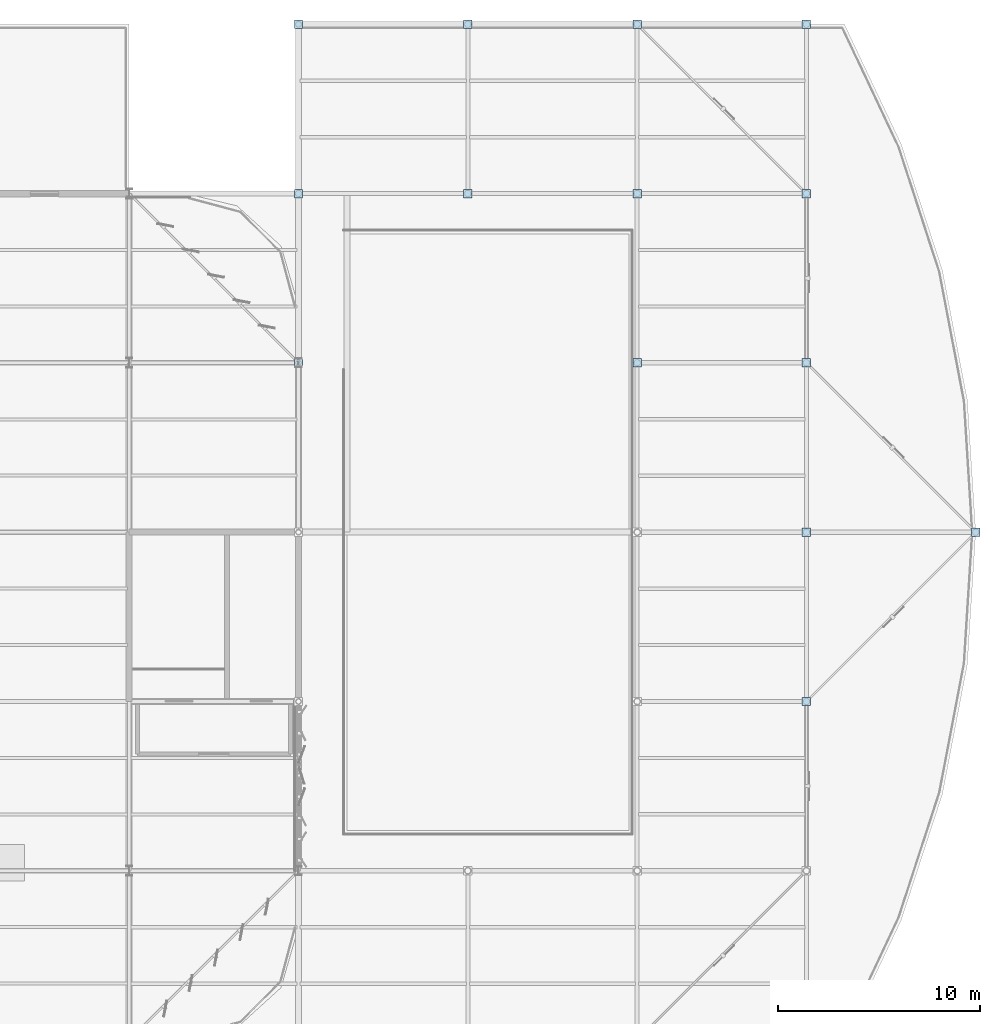
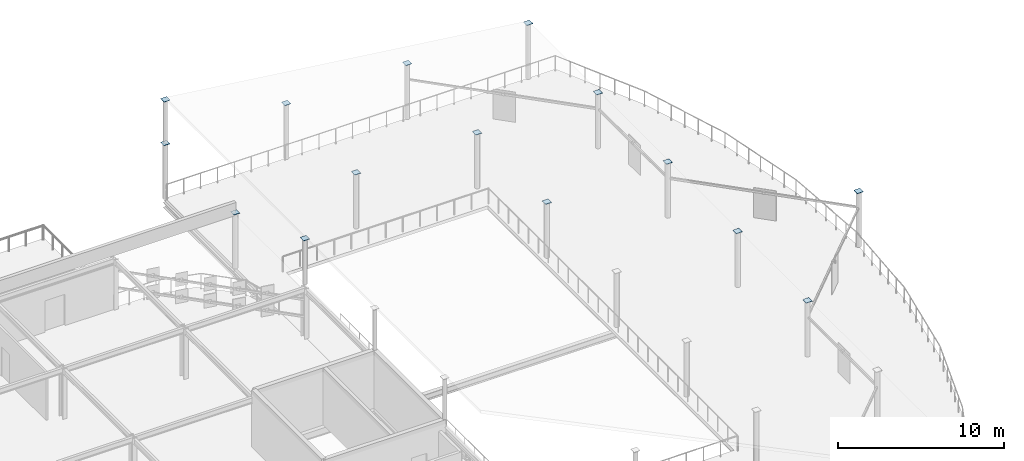
# One storey, part 47 of 65: 15 plates.
"""IFC4 building model written with IfcOpenShell, lengths in metres."""

from ifc_helpers import new_model, si_unit, direction, frame, origin, origin_2d, place, context, subcontext, project, spatial, rectangle, extrude, material, layer, layer_set, type_object, element, save


model = new_model("IFC4")

# Units and contexts
model_context = context("Model", 3, precision=1e-05, world=origin(), true_north=direction((0.0, 1.0)))
body_context = subcontext(model_context, "Body", "Model", "MODEL_VIEW")
ifc_project = project(units=[si_unit("LENGTHUNIT", "METRE"), si_unit("AREAUNIT", "SQUARE_METRE"), si_unit("VOLUMEUNIT", "CUBIC_METRE"), si_unit("PLANEANGLEUNIT", "RADIAN"), si_unit("MASSUNIT", "GRAM", prefix="KILO")], contexts=[model_context])

# Site, building, storey
site_placement = place(None, origin())
site = spatial("IfcSite", under=ifc_project, at=site_placement, CompositionType="ELEMENT")
building_placement = place(site_placement, origin())
building = spatial("IfcBuilding", under=site, at=building_placement, Name="Qalvenar Corner Mobility Hub", CompositionType="ELEMENT")
storey_placement = place(building_placement, frame((0.0, 0.0, 17.39990234375)))
storey = spatial("IfcBuildingStorey", under=building, at=storey_placement, Name="L04", CompositionType="ELEMENT", Elevation=17.39990234375)

# Plates
ifc_material = material(Name="Steel S355", Category="steel")
ifc_layer = layer(ifc_material, 0.02490234375)
ifc_layer_set = layer_set([ifc_layer], Name="Steel S355")
plate_type = type_object("IfcPlateType", Name="PLT-CAP25", PredefinedType="SHEET", material=ifc_layer_set)
for number, where, z_axis, x_axis, name in (
    (1, (142.800048828125, 109.199951171875, 4.030029296875), (0.0, 0.0, 1.0), (1.0, 0.0, 0.0), "Hollow Column Top Cap Plate L04-G18-13"),
    (2, (142.800048828125, 117.60009765625, 4.030029296875), (0.0, 0.0, 1.0), (1.0, 0.0, 0.0), "Hollow Column Top Cap Plate L04-G18-14"),
    (3, (151.199951171875, 109.199951171875, 4.030029296875), (0.0, 0.0, 1.0), (1.0, 0.0, 0.0), "Hollow Column Top Cap Plate L04-G19-13"),
    (4, (151.199951171875, 117.60009765625, 4.030029296875), (0.0, 0.0, 1.0), (1.0, 0.0, 0.0), "Hollow Column Top Cap Plate L04-G19-14"),
    (5, (159.60009765625, 100.800048828125, 4.030029296875), (0.0, 0.0, 1.0), (1.0, 0.0, 0.0), "Hollow Column Top Cap Plate L04-G20-12"),
    (6, (159.60009765625, 109.199951171875, 4.030029296875), (0.0, 0.0, 1.0), (1.0, 0.0, 0.0), "Hollow Column Top Cap Plate L04-G20-13"),
    (7, (159.60009765625, 117.60009765625, 4.030029296875), (0.0, 0.0, 1.0), (1.0, 0.0, 0.0), "Hollow Column Top Cap Plate L04-G20-14"),
    (8, (168.0, 84.0, 4.030029296875), (0.0, 0.0, 1.0), (1.0, 0.0, 0.0), "Hollow Column Top Cap Plate L04-G21-10"),
    (9, (168.0, 92.39990234375, 4.030029296875), (0.0, 0.0, 1.0), (1.0, 0.0, 0.0), "Hollow Column Top Cap Plate L04-G21-11"),
    (10, (168.0, 100.800048828125, 4.030029296875), (0.0, 0.0, 1.0), (1.0, 0.0, 0.0), "Hollow Column Top Cap Plate L04-G21-12"),
    (11, (168.0, 109.199951171875, 4.030029296875), (0.0, 0.0, 1.0), (1.0, 0.0, 0.0), "Hollow Column Top Cap Plate L04-G21-13"),
    (12, (168.0, 117.60009765625, 4.030029296875), (0.0, 0.0, 1.0), (1.0, 0.0, 0.0), "Hollow Column Top Cap Plate L04-G21-14"),
    (13, (176.39990234375, 92.39990234375, 4.030029296875), (0.0, 0.0, 1.0), (1.0, 0.0, 0.0), "Hollow Column Top Cap Plate L04-G22-11"),
    (14, (142.800048828125, 100.800048828125, 7.230224609375), (0.0, 0.0, 1.0), (1.0, 0.0, 0.0), "Rotunda Ridge Post Cap Plate V2R-100"),
    (15, (142.800048828125, 117.60009765625, 7.230224609375), (0.0, 0.0, 1.0), (1.0, 0.0, 0.0), "Rotunda Ridge Post Cap Plate V2R-117"),
):
    element("IfcPlate", number, at=place(storey_placement, frame(where, z_axis=z_axis, x_axis=x_axis)), inside=storey, type_object=plate_type, Name=name, PredefinedType="SHEET", context=body_context, shape_type="SweptSolid", body=[
        extrude(rectangle(XDim=0.419921875, YDim=0.419921875, at=origin_2d()), origin(), (0.0, 0.0, 1.0), 0.02490234375),
    ])

save(model, "model.ifc")
